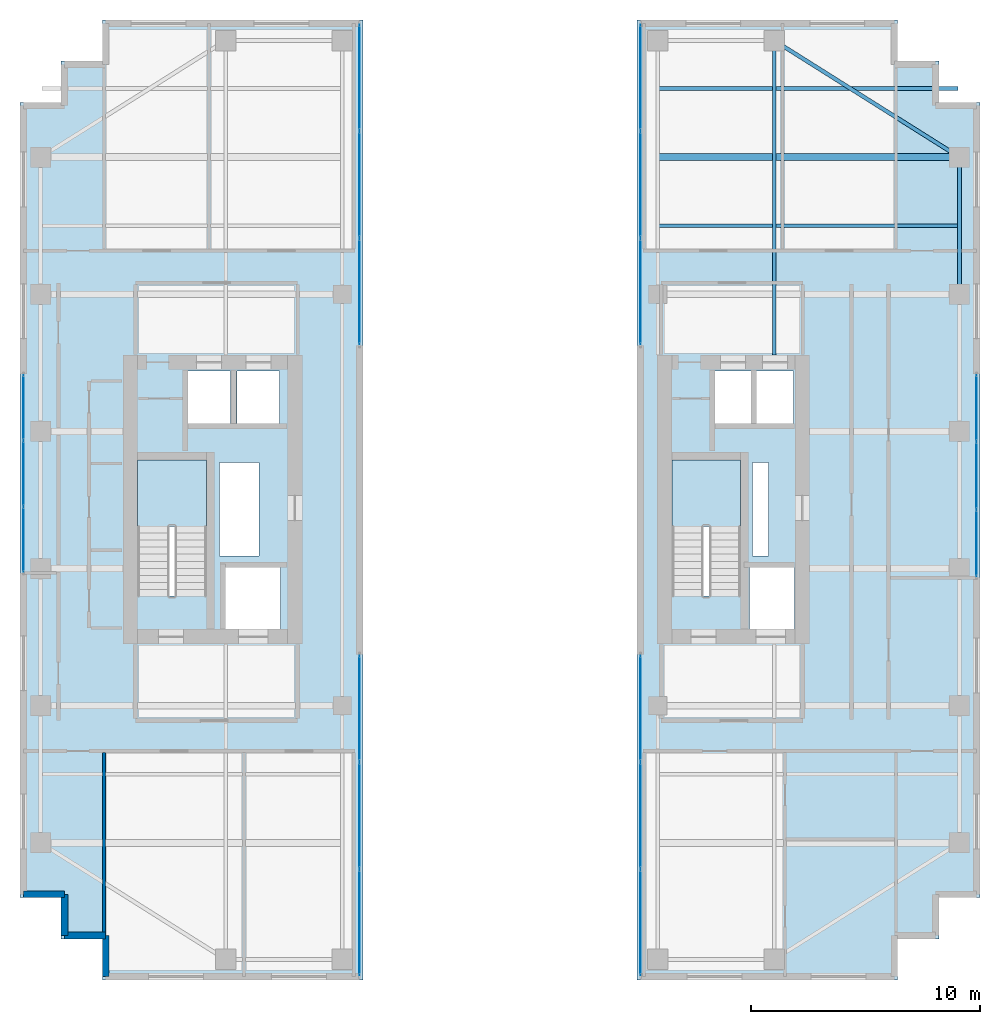
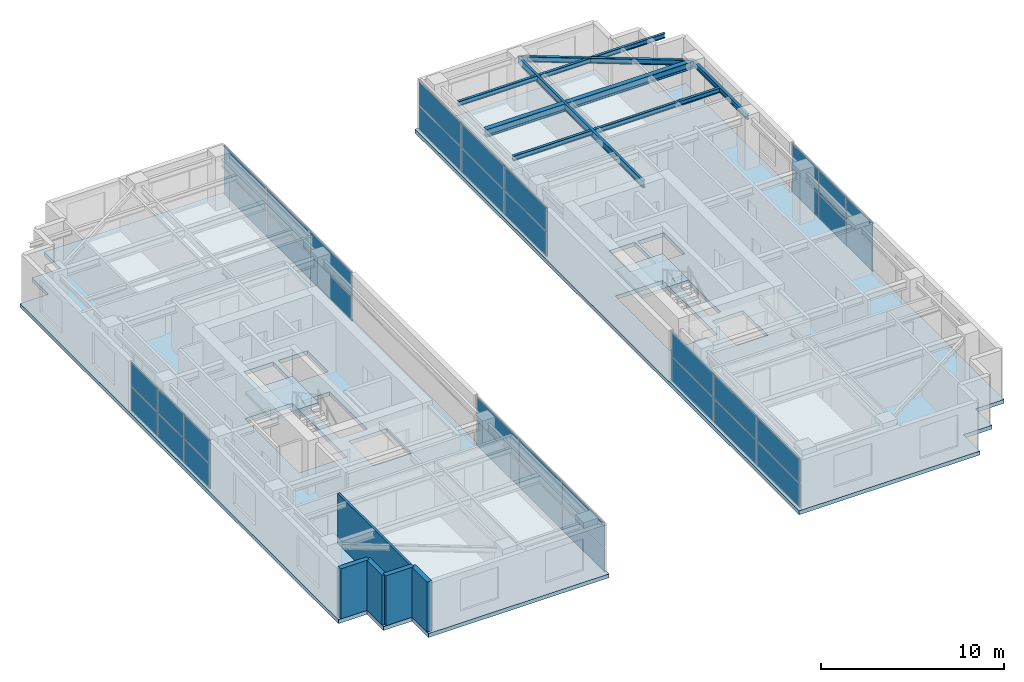
# One storey, part 15 of 21: 36 plates, 6 beams, 5 walls, 4 slabs, 8 elements without a shape of their own.
"""IFC4 building model written with IfcOpenShell, lengths in metres."""

from ifc_helpers import new_model, si_unit, direction, frame, frame_2d, origin, origin_2d, place, context, subcontext, project, spatial, polyline, rectangle, i_section, outline, extrude, source, transform, mapped, material, layer, layer_set, material_profile, profile_set, type_object, element, aggregate, save


model = new_model("IFC4")

# Units and contexts
model_context = context("Model", 3, precision=1e-05, world=origin(), true_north=direction((0.0, 1.0)))
body_context = subcontext(model_context, "Body", "Model", "MODEL_VIEW")
ifc_project = project(units=[si_unit("LENGTHUNIT", "METRE"), si_unit("AREAUNIT", "SQUARE_METRE"), si_unit("VOLUMEUNIT", "CUBIC_METRE"), si_unit("PLANEANGLEUNIT", "RADIAN"), si_unit("MASSUNIT", "GRAM", prefix="KILO")], contexts=[model_context])

# Site, building, storey
site_placement = place(None, origin())
site = spatial("IfcSite", under=ifc_project, at=site_placement, CompositionType="ELEMENT")
building_placement = place(site_placement, origin())
building = spatial("IfcBuilding", under=site, at=building_placement, Name="Khoralis Quay Care Tower", CompositionType="ELEMENT")
storey_placement = place(building_placement, frame((0.0, 0.0, 206.10009765625)))
storey = spatial("IfcBuildingStorey", under=building, at=storey_placement, Name="L54", CompositionType="ELEMENT", Elevation=206.10009765625)

# Beams
ifc_material_1 = material(Name="Steel S355", Category="steel")
ifc_material_profile_1 = material_profile(ifc_material_1, i_section(OverallWidth=0.169921875, OverallDepth=0.360107421875, WebThickness=0.008056640625, FlangeThickness=0.0126953125, FilletRadius=0.01806640625, at=origin_2d()), Name="Steel S355")
ifc_profile_set_1 = profile_set([ifc_material_profile_1], Name="Steel S355")
beam_type_1 = type_object("IfcBeamType", Name="BM-IPE360", PredefinedType="SPANDREL", material=ifc_profile_set_1)
shared_shape_1 = source(origin(), body_context, "Body", "SweptSolid", [
    extrude(i_section(OverallWidth=0.169921875, OverallDepth=0.360107421875, WebThickness=0.008056640625, FlangeThickness=0.0126953125, FilletRadius=0.01806640625, at=origin_2d()), origin(), (0.0, 0.0, 1.0), 6.0),
])
beam_1_placement = place(storey_placement, frame((44.10009765625, 30.0, 3.159912109375), z_axis=(0.0, 1.0, 0.0), x_axis=(-1.0, 0.0, 0.0)))
element("IfcBeam", 1, at=beam_1_placement, inside=storey, type_object=beam_type_1, Name="BM-TSP-L54-14", PredefinedType="SPANDREL", context=body_context, shape_type="MappedRepresentation", body=[
    mapped(shared_shape_1, transform((0.0, 0.0, 0.0), scale=1.0)),
])
shared_shape_2 = source(origin(), body_context, "Body", "SweptSolid", [
    extrude(i_section(OverallWidth=0.169921875, OverallDepth=0.360107421875, WebThickness=0.008056640625, FlangeThickness=0.0126953125, FilletRadius=0.01806640625, at=origin_2d()), origin(), (0.0, 0.0, 1.0), 9.572021484375),
])
beam_2_placement = place(storey_placement, frame((36.0, 41.10009765625, 3.159912109375), z_axis=(0.846231136359, -0.532815975602, 0.0), x_axis=(0.532815975602, 0.846231136359, 0.0)))
element("IfcBeam", 2, at=beam_2_placement, inside=storey, type_object=beam_type_1, Name="BM-TCR-L54-18", PredefinedType="SPANDREL", context=body_context, shape_type="MappedRepresentation", body=[
    mapped(shared_shape_2, transform((0.0, 0.0, 0.0), scale=1.0)),
])
ifc_material_profile_2 = material_profile(ifc_material_1, i_section(OverallWidth=0.300048828125, OverallDepth=0.5, WebThickness=0.014404296875, FlangeThickness=0.028076171875, FilletRadius=0.027099609375, at=origin_2d()), Name="Steel S355")
ifc_profile_set_2 = profile_set([ifc_material_profile_2], Name="Steel S355")
beam_type_2 = type_object("IfcBeamType", Name="BM-HEB500", PredefinedType="BEAM", material=ifc_profile_set_2)
shared_shape_3 = source(origin(), body_context, "Body", "SweptSolid", [
    extrude(i_section(OverallWidth=0.300048828125, OverallDepth=0.5, WebThickness=0.014404296875, FlangeThickness=0.028076171875, FilletRadius=0.027099609375, at=origin_2d()), origin(), (0.0, 0.0, 1.0), 13.135009765625),
])
beam_3_placement = place(storey_placement, frame((30.965087890625, 36.0, 3.08984375), z_axis=(1.0, 0.0, 0.0), x_axis=(0.0, 1.0, 0.0)))
element("IfcBeam", 3, at=beam_3_placement, inside=storey, type_object=beam_type_2, Name="BM-TGXE-L54-360", PredefinedType="BEAM", context=body_context, shape_type="MappedRepresentation", body=[
    mapped(shared_shape_3, transform((0.0, 0.0, 0.0), scale=1.0)),
])
ifc_material_profile_3 = material_profile(ifc_material_1, i_section(OverallWidth=0.154052734375, OverallDepth=0.458984375, WebThickness=0.009033203125, FlangeThickness=0.015380859375, FilletRadius=0.014892578125, at=origin_2d()), Name="Steel S355")
ifc_profile_set_3 = profile_set([ifc_material_profile_3], Name="Steel S355")
beam_type_3 = type_object("IfcBeamType", Name="BM-W460X68", PredefinedType="BEAM", material=ifc_profile_set_3)
shared_shape_4 = source(origin(), body_context, "Body", "SweptSolid", [
    extrude(i_section(OverallWidth=0.154052734375, OverallDepth=0.458984375, WebThickness=0.009033203125, FlangeThickness=0.015380859375, FilletRadius=0.014892578125, at=origin_2d()), origin(), (0.0, 0.0, 1.0), 13.752197265625),
])
beam_4_placement = place(storey_placement, frame((36.0, 27.347900390625, 3.1103515625), z_axis=(0.0, 1.0, 0.0), x_axis=(-1.0, 0.0, 0.0)))
element("IfcBeam", 4, at=beam_4_placement, inside=storey, type_object=beam_type_3, Name="BM-TGYN-L54-360", PredefinedType="BEAM", context=body_context, shape_type="MappedRepresentation", body=[
    mapped(shared_shape_4, transform((0.0, 0.0, 0.0), scale=1.0)),
])
ifc_material_profile_4 = material_profile(ifc_material_1, i_section(OverallWidth=0.1650390625, OverallDepth=0.31005859375, WebThickness=0.005859375, FlangeThickness=0.009765625, FilletRadius=0.011962890625, at=origin_2d()), Name="Steel S355")
ifc_profile_set_4 = profile_set([ifc_material_profile_4], Name="Steel S355")
beam_type_4 = type_object("IfcBeamType", Name="BM-W310X39", PredefinedType="JOIST", material=ifc_profile_set_4)
shared_shape_5 = source(origin(), body_context, "Body", "SweptSolid", [
    extrude(i_section(OverallWidth=0.1650390625, OverallDepth=0.31005859375, WebThickness=0.005859375, FlangeThickness=0.009765625, FilletRadius=0.011962890625, at=origin_2d()), origin(), (0.0, 0.0, 1.0), 13.06396484375),
])
for number, where, z_axis, x_axis, name in (
    (5, (30.965087890625, 33.0, 3.184814453125), (1.0, 0.0, 0.0), (0.0, 1.0, 0.0), "BM-TJS-L54-22"),
    (6, (30.965087890625, 39.0, 3.184814453125), (1.0, 0.0, 0.0), (0.0, 1.0, 0.0), "BM-TJS-L54-24"),
):
    element("IfcBeam", number, at=place(storey_placement, frame(where, z_axis=z_axis, x_axis=x_axis)), inside=storey, type_object=beam_type_4, Name=name, PredefinedType="JOIST", context=body_context, shape_type="MappedRepresentation", body=[
        mapped(shared_shape_5, transform((0.0, 0.0, 0.0), scale=1.0)),
    ])

# Stair, slab
ifc_material_2 = material(Name="Precast concrete C45/55", Category="concrete")
stair_type = type_object("IfcStairType", Name="ST-TWR-DOGLEG-1400", PredefinedType="HALF_TURN_STAIR", material=ifc_material_2)
stair_1_placement = place(storey_placement, origin())
stair_1 = element("IfcStair", 7, at=stair_1_placement, inside=storey, type_object=stair_type, Name="L54 West Core Exit Stair ST-T1", PredefinedType="HALF_TURN_STAIR")
ifc_layer_1 = layer(ifc_material_2, 0.199951171875)
ifc_layer_set_1 = layer_set([ifc_layer_1], Name="Precast concrete C45/55")
slab_type_1 = type_object("IfcSlabType", Name="SLB-LANDING-200", PredefinedType="LANDING", material=ifc_layer_set_1)
slab_1_placement = place(storey_placement, frame((0.0, 0.0, 1.599853515625)))
slab_1 = element("IfcSlab", 8, at=slab_1_placement, type_object=slab_type_1, Name="ST-T1 landing 1", PredefinedType="LANDING", context=body_context, shape_type="SweptSolid", body=[
    extrude(outline(polyline([(11.14990234375, 19.840087890625), (11.14990234375, 22.75), (8.14990234375, 22.75), (8.14990234375, 19.840087890625), (11.14990234375, 19.840087890625)])), origin(), (0.0, 0.0, 1.0), 0.199951171875),
])
aggregate(stair_1, [slab_1])

stair_2_placement = place(storey_placement, origin())
stair_2 = element("IfcStair", 9, at=stair_2_placement, inside=storey, type_object=stair_type, Name="L54 East Core Exit Stair ST-T2", PredefinedType="HALF_TURN_STAIR")
slab_2_placement = place(storey_placement, frame((0.0, 0.0, 1.599853515625)))
slab_2 = element("IfcSlab", 10, at=slab_2_placement, type_object=slab_type_1, Name="ST-T2 landing 1", PredefinedType="LANDING", context=body_context, shape_type="SweptSolid", body=[
    extrude(outline(polyline([(34.52001953125, 19.840087890625), (34.52001953125, 22.75), (31.52001953125, 22.75), (31.52001953125, 19.840087890625), (34.52001953125, 19.840087890625)])), origin(), (0.0, 0.0, 1.0), 0.199951171875),
])
aggregate(stair_2, [slab_2])

# Slabs
ifc_material_3 = material(Name="Concrete C40/50", Category="concrete")
ifc_layer_2 = layer(ifc_material_3, 0.260009765625)
ifc_layer_set_2 = layer_set([ifc_layer_2], Name="Concrete C40/50")
slab_type_2 = type_object("IfcSlabType", Name="SLB-TWR-260", PredefinedType="FLOOR", material=ifc_layer_set_2)
slab_3_placement = place(storey_placement, frame((0.0, 0.0, -0.260009765625)))
element("IfcSlab", 11, at=slab_3_placement, inside=storey, type_object=slab_type_2, Name="Tower Wing 1 Slab L54", PredefinedType="FLOOR", context=body_context, shape_type="SweptSolid", body=[
    extrude(outline(polyline([(6.60009765625, 0.0), (18.0, 0.0), (18.0, 42.0), (6.60009765625, 42.0), (6.60009765625, 40.199951171875), (4.800048828125, 40.199951171875), (4.800048828125, 38.39990234375), (3.0, 38.39990234375), (3.0, 3.60009765625), (4.800048828125, 3.60009765625), (4.800048828125, 1.800048828125), (6.60009765625, 1.800048828125), (6.60009765625, 0.0)]), holes=[polyline([(11.14990234375, 16.800048828125), (11.14990234375, 22.75), (8.14990234375, 22.75), (8.14990234375, 16.800048828125), (11.14990234375, 16.800048828125)]), polyline([(12.0, 15.35009765625), (14.39990234375, 15.35009765625), (14.39990234375, 18.050048828125), (12.0, 18.050048828125), (12.0, 15.35009765625)]), polyline([(10.35009765625, 24.35009765625), (12.199951171875, 24.35009765625), (12.199951171875, 26.64990234375), (10.35009765625, 26.64990234375), (10.35009765625, 24.35009765625)]), polyline([(12.5, 24.35009765625), (14.35009765625, 24.35009765625), (14.35009765625, 26.64990234375), (12.5, 26.64990234375), (12.5, 24.35009765625)]), polyline([(11.719970703125, 18.550048828125), (13.449951171875, 18.550048828125), (13.449951171875, 22.64990234375), (11.719970703125, 22.64990234375), (11.719970703125, 18.550048828125)])]), origin(), (0.0, 0.0, 1.0), 0.260009765625),
])
slab_4_placement = place(storey_placement, frame((0.0, 0.0, -0.260009765625)))
element("IfcSlab", 12, at=slab_4_placement, inside=storey, type_object=slab_type_2, Name="Tower Wing 2 Slab L54", PredefinedType="FLOOR", context=body_context, shape_type="SweptSolid", body=[
    extrude(outline(polyline([(30.0, 0.0), (41.39990234375, 0.0), (41.39990234375, 1.800048828125), (43.199951171875, 1.800048828125), (43.199951171875, 3.60009765625), (45.0, 3.60009765625), (45.0, 38.39990234375), (43.199951171875, 38.39990234375), (43.199951171875, 40.199951171875), (41.39990234375, 40.199951171875), (41.39990234375, 42.0), (30.0, 42.0), (30.0, 0.0)]), holes=[polyline([(34.52001953125, 16.800048828125), (34.52001953125, 22.75), (31.52001953125, 22.75), (31.52001953125, 16.800048828125), (34.52001953125, 16.800048828125)]), polyline([(34.919921875, 15.35009765625), (36.8798828125, 15.35009765625), (36.8798828125, 18.050048828125), (34.919921875, 18.050048828125), (34.919921875, 15.35009765625)]), polyline([(33.3798828125, 24.35009765625), (35.030029296875, 24.35009765625), (35.030029296875, 26.64990234375), (33.3798828125, 26.64990234375), (33.3798828125, 24.35009765625)]), polyline([(35.199951171875, 24.35009765625), (36.85009765625, 24.35009765625), (36.85009765625, 26.64990234375), (35.199951171875, 26.64990234375), (35.199951171875, 24.35009765625)]), polyline([(35.050048828125, 18.550048828125), (35.75, 18.550048828125), (35.75, 22.64990234375), (35.050048828125, 22.64990234375), (35.050048828125, 18.550048828125)])]), origin(), (0.0, 0.0, 1.0), 0.260009765625),
])

# Curtain wall, plates
ifc_material_4 = material(Name="Pale anodised aluminium", Category="aluminium")
ifc_layer_3 = layer(ifc_material_4, 0.18994140625)
ifc_layer_set_3 = layer_set([ifc_layer_3], Name="Pale anodised aluminium")
curtain_wall_type_1 = type_object("IfcCurtainWallType", Name="CW-SYS-PORTAL", PredefinedType="NOTDEFINED", material=ifc_layer_set_3)
curtain_wall_1_placement = place(storey_placement, origin())
curtain_wall_1 = element("IfcCurtainWall", 13, at=curtain_wall_1_placement, inside=storey, type_object=curtain_wall_type_1, Name="L54 Unitised Curtain Wall CW-VP-L54-P1-S", PredefinedType="NOTDEFINED")
ifc_material_5 = material(Name="Low-E solar-control double glazing", Category="glass")
ifc_layer_4 = layer(ifc_material_5, 0.031982421875)
ifc_layer_set_4 = layer_set([ifc_layer_4], Name="Low-E solar-control double glazing")
plate_type = type_object("IfcPlateType", Name="PNL-VIS-32", PredefinedType="CURTAIN_PANEL", material=ifc_layer_set_4)
shared_shape_6 = source(origin(), body_context, "Body", "SweptSolid", [
    extrude(rectangle(XDim=4.610107421875, YDim=0.028076171875, at=origin_2d()), origin(), (0.0, 0.0, 1.0), 1.580078125),
])
plate_1_placement = place(storey_placement, frame((17.85009765625, 2.514892578125, 0.059814453125), z_axis=(0.0, 0.0, 1.0), x_axis=(0.0, 1.0, 0.0)))
plate_1 = element("IfcPlate", 14, at=plate_1_placement, type_object=plate_type, Name="CW4 panel 1.1", PredefinedType="CURTAIN_PANEL", context=body_context, shape_type="MappedRepresentation", body=[
    mapped(shared_shape_6, transform((0.0, 0.0, 0.0), scale=1.0)),
])
plate_2_placement = place(storey_placement, frame((17.85009765625, 2.514892578125, 1.699951171875), z_axis=(0.0, 0.0, 1.0), x_axis=(0.0, 1.0, 0.0)))
plate_2 = element("IfcPlate", 15, at=plate_2_placement, type_object=plate_type, Name="CW4 panel 1.2", PredefinedType="CURTAIN_PANEL", context=body_context, shape_type="MappedRepresentation", body=[
    mapped(shared_shape_6, transform((0.0, 0.0, 0.0), scale=1.0)),
])
plate_3_placement = place(storey_placement, frame((17.85009765625, 11.885009765625, 0.059814453125), z_axis=(0.0, 0.0, 1.0), x_axis=(0.0, 1.0, 0.0)))
plate_3 = element("IfcPlate", 16, at=plate_3_placement, type_object=plate_type, Name="CW4 panel 3.1", PredefinedType="CURTAIN_PANEL", context=body_context, shape_type="MappedRepresentation", body=[
    mapped(shared_shape_6, transform((0.0, 0.0, 0.0), scale=1.0)),
])
plate_4_placement = place(storey_placement, frame((17.85009765625, 11.885009765625, 1.699951171875), z_axis=(0.0, 0.0, 1.0), x_axis=(0.0, 1.0, 0.0)))
plate_4 = element("IfcPlate", 17, at=plate_4_placement, type_object=plate_type, Name="CW4 panel 3.2", PredefinedType="CURTAIN_PANEL", context=body_context, shape_type="MappedRepresentation", body=[
    mapped(shared_shape_6, transform((0.0, 0.0, 0.0), scale=1.0)),
])

curtain_wall_2_placement = place(storey_placement, origin())
curtain_wall_2 = element("IfcCurtainWall", 18, at=curtain_wall_2_placement, inside=storey, type_object=curtain_wall_type_1, Name="L54 Unitised Curtain Wall CW-VP-L54-P1-N", PredefinedType="NOTDEFINED")
plate_5_placement = place(storey_placement, frame((17.85009765625, 30.114990234375, 0.059814453125), z_axis=(0.0, 0.0, 1.0), x_axis=(0.0, 1.0, 0.0)))
plate_5 = element("IfcPlate", 19, at=plate_5_placement, type_object=plate_type, Name="CW4 panel 1.1", PredefinedType="CURTAIN_PANEL", context=body_context, shape_type="MappedRepresentation", body=[
    mapped(shared_shape_6, transform((0.0, 0.0, 0.0), scale=1.0)),
])
plate_6_placement = place(storey_placement, frame((17.85009765625, 30.114990234375, 1.699951171875), z_axis=(0.0, 0.0, 1.0), x_axis=(0.0, 1.0, 0.0)))
plate_6 = element("IfcPlate", 20, at=plate_6_placement, type_object=plate_type, Name="CW4 panel 1.2", PredefinedType="CURTAIN_PANEL", context=body_context, shape_type="MappedRepresentation", body=[
    mapped(shared_shape_6, transform((0.0, 0.0, 0.0), scale=1.0)),
])
plate_7_placement = place(storey_placement, frame((17.85009765625, 39.485107421875, 0.059814453125), z_axis=(0.0, 0.0, 1.0), x_axis=(0.0, 1.0, 0.0)))
plate_7 = element("IfcPlate", 21, at=plate_7_placement, type_object=plate_type, Name="CW4 panel 3.1", PredefinedType="CURTAIN_PANEL", context=body_context, shape_type="MappedRepresentation", body=[
    mapped(shared_shape_6, transform((0.0, 0.0, 0.0), scale=1.0)),
])
plate_8_placement = place(storey_placement, frame((17.85009765625, 39.485107421875, 1.699951171875), z_axis=(0.0, 0.0, 1.0), x_axis=(0.0, 1.0, 0.0)))
plate_8 = element("IfcPlate", 22, at=plate_8_placement, type_object=plate_type, Name="CW4 panel 3.2", PredefinedType="CURTAIN_PANEL", context=body_context, shape_type="MappedRepresentation", body=[
    mapped(shared_shape_6, transform((0.0, 0.0, 0.0), scale=1.0)),
])

curtain_wall_3_placement = place(storey_placement, origin())
curtain_wall_3 = element("IfcCurtainWall", 23, at=curtain_wall_3_placement, inside=storey, type_object=curtain_wall_type_1, Name="L54 Unitised Curtain Wall CW-VP-L54-P2-S", PredefinedType="NOTDEFINED")
plate_9_placement = place(storey_placement, frame((30.14990234375, 2.514892578125, 0.059814453125), z_axis=(0.0, 0.0, 1.0), x_axis=(0.0, 1.0, 0.0)))
plate_9 = element("IfcPlate", 24, at=plate_9_placement, type_object=plate_type, Name="CW4 panel 1.1", PredefinedType="CURTAIN_PANEL", context=body_context, shape_type="MappedRepresentation", body=[
    mapped(shared_shape_6, transform((0.0, 0.0, 0.0), scale=1.0)),
])
plate_10_placement = place(storey_placement, frame((30.14990234375, 2.514892578125, 1.699951171875), z_axis=(0.0, 0.0, 1.0), x_axis=(0.0, 1.0, 0.0)))
plate_10 = element("IfcPlate", 25, at=plate_10_placement, type_object=plate_type, Name="CW4 panel 1.2", PredefinedType="CURTAIN_PANEL", context=body_context, shape_type="MappedRepresentation", body=[
    mapped(shared_shape_6, transform((0.0, 0.0, 0.0), scale=1.0)),
])
plate_11_placement = place(storey_placement, frame((30.14990234375, 11.885009765625, 0.059814453125), z_axis=(0.0, 0.0, 1.0), x_axis=(0.0, 1.0, 0.0)))
plate_11 = element("IfcPlate", 26, at=plate_11_placement, type_object=plate_type, Name="CW4 panel 3.1", PredefinedType="CURTAIN_PANEL", context=body_context, shape_type="MappedRepresentation", body=[
    mapped(shared_shape_6, transform((0.0, 0.0, 0.0), scale=1.0)),
])
plate_12_placement = place(storey_placement, frame((30.14990234375, 11.885009765625, 1.699951171875), z_axis=(0.0, 0.0, 1.0), x_axis=(0.0, 1.0, 0.0)))
plate_12 = element("IfcPlate", 27, at=plate_12_placement, type_object=plate_type, Name="CW4 panel 3.2", PredefinedType="CURTAIN_PANEL", context=body_context, shape_type="MappedRepresentation", body=[
    mapped(shared_shape_6, transform((0.0, 0.0, 0.0), scale=1.0)),
])

curtain_wall_4_placement = place(storey_placement, origin())
curtain_wall_4 = element("IfcCurtainWall", 28, at=curtain_wall_4_placement, inside=storey, type_object=curtain_wall_type_1, Name="L54 Unitised Curtain Wall CW-VP-L54-P2-N", PredefinedType="NOTDEFINED")
plate_13_placement = place(storey_placement, frame((30.14990234375, 30.114990234375, 0.059814453125), z_axis=(0.0, 0.0, 1.0), x_axis=(0.0, 1.0, 0.0)))
plate_13 = element("IfcPlate", 29, at=plate_13_placement, type_object=plate_type, Name="CW4 panel 1.1", PredefinedType="CURTAIN_PANEL", context=body_context, shape_type="MappedRepresentation", body=[
    mapped(shared_shape_6, transform((0.0, 0.0, 0.0), scale=1.0)),
])
plate_14_placement = place(storey_placement, frame((30.14990234375, 30.114990234375, 1.699951171875), z_axis=(0.0, 0.0, 1.0), x_axis=(0.0, 1.0, 0.0)))
plate_14 = element("IfcPlate", 30, at=plate_14_placement, type_object=plate_type, Name="CW4 panel 1.2", PredefinedType="CURTAIN_PANEL", context=body_context, shape_type="MappedRepresentation", body=[
    mapped(shared_shape_6, transform((0.0, 0.0, 0.0), scale=1.0)),
])
plate_15_placement = place(storey_placement, frame((30.14990234375, 39.485107421875, 0.059814453125), z_axis=(0.0, 0.0, 1.0), x_axis=(0.0, 1.0, 0.0)))
plate_15 = element("IfcPlate", 31, at=plate_15_placement, type_object=plate_type, Name="CW4 panel 3.1", PredefinedType="CURTAIN_PANEL", context=body_context, shape_type="MappedRepresentation", body=[
    mapped(shared_shape_6, transform((0.0, 0.0, 0.0), scale=1.0)),
])
plate_16_placement = place(storey_placement, frame((30.14990234375, 39.485107421875, 1.699951171875), z_axis=(0.0, 0.0, 1.0), x_axis=(0.0, 1.0, 0.0)))
plate_16 = element("IfcPlate", 32, at=plate_16_placement, type_object=plate_type, Name="CW4 panel 3.2", PredefinedType="CURTAIN_PANEL", context=body_context, shape_type="MappedRepresentation", body=[
    mapped(shared_shape_6, transform((0.0, 0.0, 0.0), scale=1.0)),
])

# Plate
shared_shape_7 = source(origin(), body_context, "Body", "SweptSolid", [
    extrude(rectangle(XDim=4.639892578125, YDim=0.028076171875, at=origin_2d()), origin(), (0.0, 0.0, 1.0), 1.580078125),
])
plate_17_placement = place(storey_placement, frame((17.85009765625, 7.199951171875, 0.059814453125), z_axis=(0.0, 0.0, 1.0), x_axis=(0.0, 1.0, 0.0)))
plate_17 = element("IfcPlate", 33, at=plate_17_placement, type_object=plate_type, Name="CW4 panel 2.1", PredefinedType="CURTAIN_PANEL", context=body_context, shape_type="MappedRepresentation", body=[
    mapped(shared_shape_7, transform((0.0, 0.0, 0.0), scale=1.0)),
])

plate_18_placement = place(storey_placement, frame((17.85009765625, 7.199951171875, 1.699951171875), z_axis=(0.0, 0.0, 1.0), x_axis=(0.0, 1.0, 0.0)))
plate_18 = element("IfcPlate", 34, at=plate_18_placement, type_object=plate_type, Name="CW4 panel 2.2", PredefinedType="CURTAIN_PANEL", context=body_context, shape_type="MappedRepresentation", body=[
    mapped(shared_shape_7, transform((0.0, 0.0, 0.0), scale=1.0)),
])

aggregate(curtain_wall_1, [plate_1, plate_2, plate_17, plate_18, plate_3, plate_4])

plate_19_placement = place(storey_placement, frame((17.85009765625, 34.800048828125, 0.059814453125), z_axis=(0.0, 0.0, 1.0), x_axis=(0.0, 1.0, 0.0)))
plate_19 = element("IfcPlate", 35, at=plate_19_placement, type_object=plate_type, Name="CW4 panel 2.1", PredefinedType="CURTAIN_PANEL", context=body_context, shape_type="MappedRepresentation", body=[
    mapped(shared_shape_7, transform((0.0, 0.0, 0.0), scale=1.0)),
])

plate_20_placement = place(storey_placement, frame((17.85009765625, 34.800048828125, 1.699951171875), z_axis=(0.0, 0.0, 1.0), x_axis=(0.0, 1.0, 0.0)))
plate_20 = element("IfcPlate", 36, at=plate_20_placement, type_object=plate_type, Name="CW4 panel 2.2", PredefinedType="CURTAIN_PANEL", context=body_context, shape_type="MappedRepresentation", body=[
    mapped(shared_shape_7, transform((0.0, 0.0, 0.0), scale=1.0)),
])

aggregate(curtain_wall_2, [plate_5, plate_6, plate_19, plate_20, plate_7, plate_8])

plate_21_placement = place(storey_placement, frame((30.14990234375, 7.199951171875, 0.059814453125), z_axis=(0.0, 0.0, 1.0), x_axis=(0.0, 1.0, 0.0)))
plate_21 = element("IfcPlate", 37, at=plate_21_placement, type_object=plate_type, Name="CW4 panel 2.1", PredefinedType="CURTAIN_PANEL", context=body_context, shape_type="MappedRepresentation", body=[
    mapped(shared_shape_7, transform((0.0, 0.0, 0.0), scale=1.0)),
])

plate_22_placement = place(storey_placement, frame((30.14990234375, 7.199951171875, 1.699951171875), z_axis=(0.0, 0.0, 1.0), x_axis=(0.0, 1.0, 0.0)))
plate_22 = element("IfcPlate", 38, at=plate_22_placement, type_object=plate_type, Name="CW4 panel 2.2", PredefinedType="CURTAIN_PANEL", context=body_context, shape_type="MappedRepresentation", body=[
    mapped(shared_shape_7, transform((0.0, 0.0, 0.0), scale=1.0)),
])

aggregate(curtain_wall_3, [plate_9, plate_10, plate_21, plate_22, plate_11, plate_12])

plate_23_placement = place(storey_placement, frame((30.14990234375, 34.800048828125, 0.059814453125), z_axis=(0.0, 0.0, 1.0), x_axis=(0.0, 1.0, 0.0)))
plate_23 = element("IfcPlate", 39, at=plate_23_placement, type_object=plate_type, Name="CW4 panel 2.1", PredefinedType="CURTAIN_PANEL", context=body_context, shape_type="MappedRepresentation", body=[
    mapped(shared_shape_7, transform((0.0, 0.0, 0.0), scale=1.0)),
])

plate_24_placement = place(storey_placement, frame((30.14990234375, 34.800048828125, 1.699951171875), z_axis=(0.0, 0.0, 1.0), x_axis=(0.0, 1.0, 0.0)))
plate_24 = element("IfcPlate", 40, at=plate_24_placement, type_object=plate_type, Name="CW4 panel 2.2", PredefinedType="CURTAIN_PANEL", context=body_context, shape_type="MappedRepresentation", body=[
    mapped(shared_shape_7, transform((0.0, 0.0, 0.0), scale=1.0)),
])

aggregate(curtain_wall_4, [plate_13, plate_14, plate_23, plate_24, plate_15, plate_16])

# Curtain wall, plates
ifc_layer_5 = layer(ifc_material_4, 0.159912109375)
ifc_layer_set_5 = layer_set([ifc_layer_5], Name="Pale anodised aluminium")
curtain_wall_type_2 = type_object("IfcCurtainWallType", Name="CW-SYS-Z3", PredefinedType="NOTDEFINED", material=ifc_layer_set_5)
curtain_wall_5_placement = place(storey_placement, origin())
curtain_wall_5 = element("IfcCurtainWall", 41, at=curtain_wall_5_placement, inside=storey, type_object=curtain_wall_type_2, Name="L54 Unitised Curtain Wall CW-L54-P1-E7", PredefinedType="NOTDEFINED")
shared_shape_8 = source(origin(), body_context, "Body", "SweptSolid", [
    extrude(rectangle(XDim=2.816650390625, YDim=0.028076171875, at=origin_2d()), origin(), (0.0, 0.0, 1.0), 1.580078125),
])
plate_25_placement = place(storey_placement, frame((3.14990234375, 25.0517578125, 0.059814453125), z_axis=(0.0, 0.0, 1.0), x_axis=(0.0, -1.0, 0.0)))
plate_25 = element("IfcPlate", 42, at=plate_25_placement, type_object=plate_type, Name="CW3 panel 1.1", PredefinedType="CURTAIN_PANEL", context=body_context, shape_type="MappedRepresentation", body=[
    mapped(shared_shape_8, transform((0.0, 0.0, 0.0), scale=1.0)),
])
plate_26_placement = place(storey_placement, frame((3.14990234375, 25.0517578125, 1.699951171875), z_axis=(0.0, 0.0, 1.0), x_axis=(0.0, -1.0, 0.0)))
plate_26 = element("IfcPlate", 43, at=plate_26_placement, type_object=plate_type, Name="CW3 panel 1.2", PredefinedType="CURTAIN_PANEL", context=body_context, shape_type="MappedRepresentation", body=[
    mapped(shared_shape_8, transform((0.0, 0.0, 0.0), scale=1.0)),
])
plate_27_placement = place(storey_placement, frame((3.14990234375, 19.268310546875, 0.059814453125), z_axis=(0.0, 0.0, 1.0), x_axis=(0.0, -1.0, 0.0)))
plate_27 = element("IfcPlate", 44, at=plate_27_placement, type_object=plate_type, Name="CW3 panel 3.1", PredefinedType="CURTAIN_PANEL", context=body_context, shape_type="MappedRepresentation", body=[
    mapped(shared_shape_8, transform((0.0, 0.0, 0.0), scale=1.0)),
])
plate_28_placement = place(storey_placement, frame((3.14990234375, 19.268310546875, 1.699951171875), z_axis=(0.0, 0.0, 1.0), x_axis=(0.0, -1.0, 0.0)))
plate_28 = element("IfcPlate", 45, at=plate_28_placement, type_object=plate_type, Name="CW3 panel 3.2", PredefinedType="CURTAIN_PANEL", context=body_context, shape_type="MappedRepresentation", body=[
    mapped(shared_shape_8, transform((0.0, 0.0, 0.0), scale=1.0)),
])
shared_shape_9 = source(origin(), body_context, "Body", "SweptSolid", [
    extrude(rectangle(XDim=2.8466796875, YDim=0.028076171875, at=origin_2d()), origin(), (0.0, 0.0, 1.0), 1.580078125),
])
plate_29_placement = place(storey_placement, frame((3.14990234375, 22.159912109375, 0.059814453125), z_axis=(0.0, 0.0, 1.0), x_axis=(0.0, -1.0, 0.0)))
plate_29 = element("IfcPlate", 46, at=plate_29_placement, type_object=plate_type, Name="CW3 panel 2.1", PredefinedType="CURTAIN_PANEL", context=body_context, shape_type="MappedRepresentation", body=[
    mapped(shared_shape_9, transform((0.0, 0.0, 0.0), scale=1.0)),
])
plate_30_placement = place(storey_placement, frame((3.14990234375, 22.159912109375, 1.699951171875), z_axis=(0.0, 0.0, 1.0), x_axis=(0.0, -1.0, 0.0)))
plate_30 = element("IfcPlate", 47, at=plate_30_placement, type_object=plate_type, Name="CW3 panel 2.2", PredefinedType="CURTAIN_PANEL", context=body_context, shape_type="MappedRepresentation", body=[
    mapped(shared_shape_9, transform((0.0, 0.0, 0.0), scale=1.0)),
])
aggregate(curtain_wall_5, [plate_25, plate_26, plate_29, plate_30, plate_27, plate_28])

curtain_wall_6_placement = place(storey_placement, origin())
curtain_wall_6 = element("IfcCurtainWall", 48, at=curtain_wall_6_placement, inside=storey, type_object=curtain_wall_type_2, Name="L54 Unitised Curtain Wall CW-L54-P2-E5", PredefinedType="NOTDEFINED")
shared_shape_10 = source(origin(), body_context, "Body", "SweptSolid", [
    extrude(rectangle(XDim=2.88330078125, YDim=0.028076171875, at=origin_2d()), origin(), (0.0, 0.0, 1.0), 1.580078125),
])
plate_31_placement = place(storey_placement, frame((44.85009765625, 19.1015625, 0.059814453125), z_axis=(0.0, 0.0, 1.0), x_axis=(0.0, 1.0, 0.0)))
plate_31 = element("IfcPlate", 49, at=plate_31_placement, type_object=plate_type, Name="CW3 panel 1.1", PredefinedType="CURTAIN_PANEL", context=body_context, shape_type="MappedRepresentation", body=[
    mapped(shared_shape_10, transform((0.0, 0.0, 0.0), scale=1.0)),
])
plate_32_placement = place(storey_placement, frame((44.85009765625, 19.1015625, 1.699951171875), z_axis=(0.0, 0.0, 1.0), x_axis=(0.0, 1.0, 0.0)))
plate_32 = element("IfcPlate", 50, at=plate_32_placement, type_object=plate_type, Name="CW3 panel 1.2", PredefinedType="CURTAIN_PANEL", context=body_context, shape_type="MappedRepresentation", body=[
    mapped(shared_shape_10, transform((0.0, 0.0, 0.0), scale=1.0)),
])
plate_33_placement = place(storey_placement, frame((44.85009765625, 25.018310546875, 0.059814453125), z_axis=(0.0, 0.0, 1.0), x_axis=(0.0, 1.0, 0.0)))
plate_33 = element("IfcPlate", 51, at=plate_33_placement, type_object=plate_type, Name="CW3 panel 3.1", PredefinedType="CURTAIN_PANEL", context=body_context, shape_type="MappedRepresentation", body=[
    mapped(shared_shape_10, transform((0.0, 0.0, 0.0), scale=1.0)),
])
plate_34_placement = place(storey_placement, frame((44.85009765625, 25.018310546875, 1.699951171875), z_axis=(0.0, 0.0, 1.0), x_axis=(0.0, 1.0, 0.0)))
plate_34 = element("IfcPlate", 52, at=plate_34_placement, type_object=plate_type, Name="CW3 panel 3.2", PredefinedType="CURTAIN_PANEL", context=body_context, shape_type="MappedRepresentation", body=[
    mapped(shared_shape_10, transform((0.0, 0.0, 0.0), scale=1.0)),
])
shared_shape_11 = source(origin(), body_context, "Body", "SweptSolid", [
    extrude(rectangle(XDim=2.913330078125, YDim=0.028076171875, at=origin_2d()), origin(), (0.0, 0.0, 1.0), 1.580078125),
])
plate_35_placement = place(storey_placement, frame((44.85009765625, 22.06005859375, 0.059814453125), z_axis=(0.0, 0.0, 1.0), x_axis=(0.0, 1.0, 0.0)))
plate_35 = element("IfcPlate", 53, at=plate_35_placement, type_object=plate_type, Name="CW3 panel 2.1", PredefinedType="CURTAIN_PANEL", context=body_context, shape_type="MappedRepresentation", body=[
    mapped(shared_shape_11, transform((0.0, 0.0, 0.0), scale=1.0)),
])
plate_36_placement = place(storey_placement, frame((44.85009765625, 22.06005859375, 1.699951171875), z_axis=(0.0, 0.0, 1.0), x_axis=(0.0, 1.0, 0.0)))
plate_36 = element("IfcPlate", 54, at=plate_36_placement, type_object=plate_type, Name="CW3 panel 2.2", PredefinedType="CURTAIN_PANEL", context=body_context, shape_type="MappedRepresentation", body=[
    mapped(shared_shape_11, transform((0.0, 0.0, 0.0), scale=1.0)),
])
aggregate(curtain_wall_6, [plate_31, plate_32, plate_35, plate_36, plate_33, plate_34])

# Walls
ifc_layer_6 = layer(ifc_material_2, 0.300048828125)
ifc_layer_set_6 = layer_set([ifc_layer_6], Name="Precast concrete C45/55")
wall_type_1 = type_object("IfcWallType", Name="WL-EXT-REF-300", PredefinedType="SOLIDWALL", material=ifc_layer_set_6)
for number, where, z_axis, x_axis, name in (
    (55, (3.14990234375, 3.75, 0.0), (0.0, 0.0, 1.0), (1.0, 0.0, 0.0), "L54 External Facade Wall WL-EXT-L54-P1-C8"),
    (56, (4.949951171875, 3.75, 0.0), (0.0, 0.0, 1.0), (0.0, -1.0, 0.0), "L54 External Facade Wall WL-EXT-L54-P1-C9"),
    (57, (4.949951171875, 1.949951171875, 0.0), (0.0, 0.0, 1.0), (1.0, 0.0, 0.0), "L54 External Facade Wall WL-EXT-L54-P1-C10"),
    (58, (6.75, 1.949951171875, 0.0), (0.0, 0.0, 1.0), (0.0, -1.0, 0.0), "L54 External Facade Wall WL-EXT-L54-P1-C11"),
):
    element("IfcWall", number, at=place(storey_placement, frame(where, z_axis=z_axis, x_axis=x_axis)), inside=storey, type_object=wall_type_1, Name=name, PredefinedType="SOLIDWALL", context=body_context, shape_type="SweptSolid", body=[
        extrude(rectangle(XDim=1.800048828125, YDim=0.300048828125, at=frame_2d((0.89990234375, 0.0))), origin(), (0.0, 0.0, 1.0), 3.33984375),
    ])
ifc_material_6 = material(Name="Gypsum plasterboard on acoustic metal stud")
ifc_layer_7 = layer(ifc_material_6, 0.139892578125)
ifc_layer_set_7 = layer_set([ifc_layer_7], Name="Gypsum plasterboard on acoustic metal stud")
wall_type_2 = type_object("IfcWallType", Name="WL-UNIT-140", PredefinedType="PARTITIONING", material=ifc_layer_set_7)
wall_placement = place(storey_placement, frame((6.679931640625, 1.945068359375, 0.0), z_axis=(0.0, 0.0, 1.0), x_axis=(0.0, 1.0, 0.0)))
element("IfcWall", 59, at=wall_placement, inside=storey, type_object=wall_type_2, Name="L54 WS Demising Wall 0", PredefinedType="PARTITIONING", context=body_context, shape_type="SweptSolid", body=[
    extrude(rectangle(XDim=7.997314453125, YDim=0.139892578125, at=frame_2d((3.99853515625, 0.0))), origin(), (0.0, 0.0, 1.0), 3.33984375),
])

save(model, "model.ifc")
